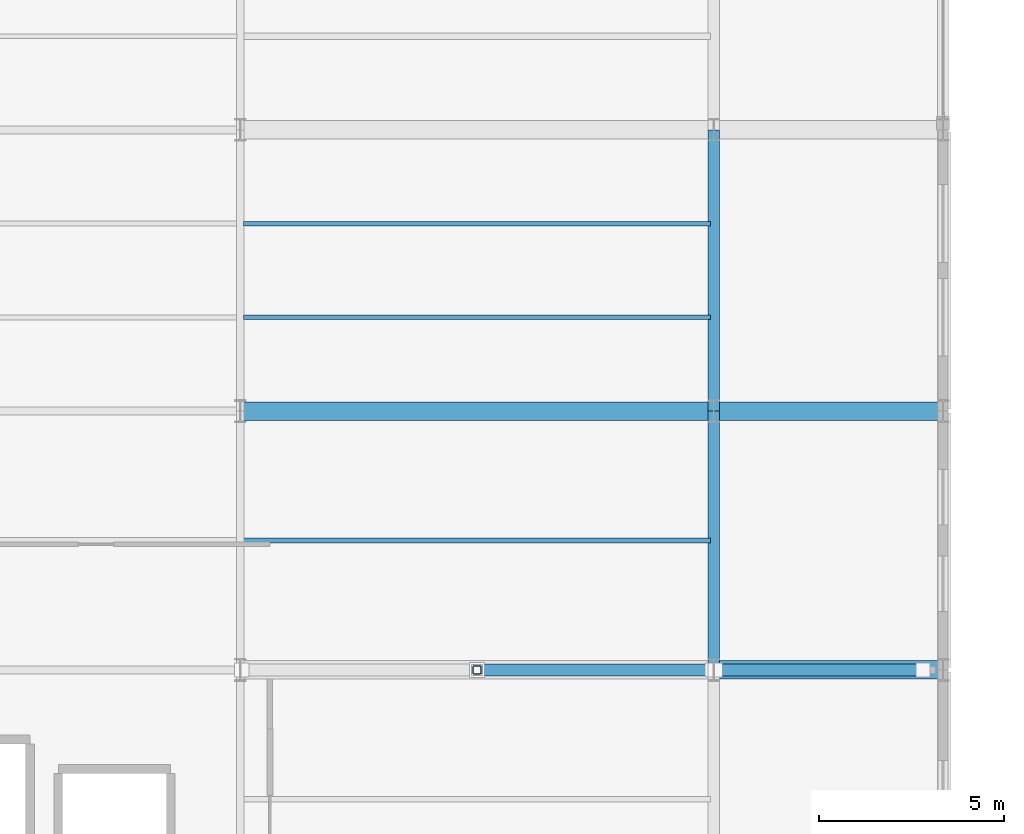
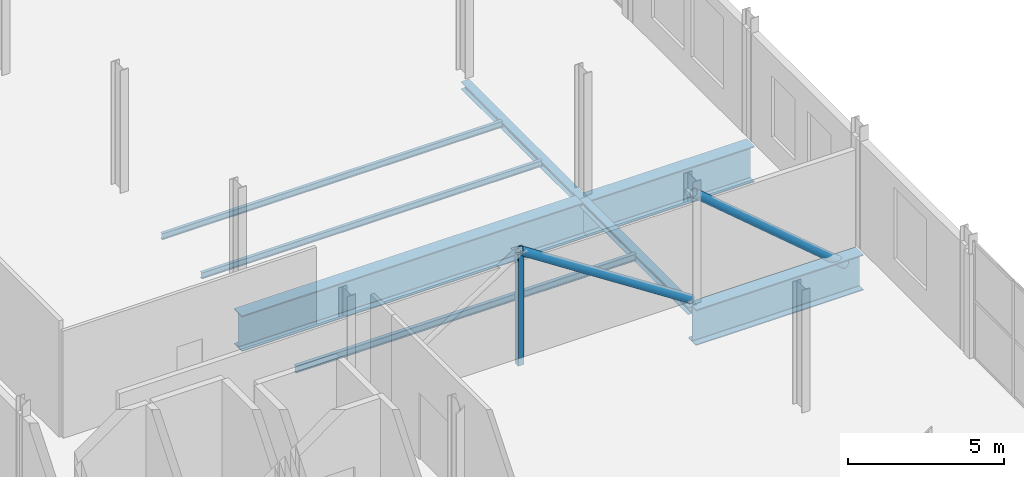
# One storey, part 71 of 120: 8 beams, 3 members.
"""IFC4 building model written with IfcOpenShell, lengths in metres."""

import ifcopenshell
import ifcopenshell.guid

model = None  # the IFC model being written
_history = None  # IfcOwnerHistory: only IFC2X3 demands one
_inside = {}  # id of a spatial element -> (the spatial element, [elements in it])
_under = {}  # id of a project, library or spatial element -> (it, [spatial elements below it])
_declared = {}  # id of a project -> (the project, [libraries it declares])
_typed = {}  # id of a type object -> (the type object, [elements of that type])
_made_of = {}  # id of a material, layer set ... -> (it, [elements and type objects made of it])


def new_model(schema):
    """Start an empty IFC model of exactly this schema.

    Asked for "IFC4X3", IfcOpenShell would pick the latest addendum, in which some entities
    have other attributes; the version numbers below select the first issue.
    IFC2X3 requires an IfcOwnerHistory on every rooted entity: one is made here for all.
    """
    global model, _history
    if schema == "IFC4X3":
        model = ifcopenshell.file(schema_version=(4, 3, 0, 0))
    else:
        model = ifcopenshell.file(schema=schema)
    _inside.clear()
    _under.clear()
    _declared.clear()
    _typed.clear()
    _made_of.clear()
    _history = None
    if model.schema == "IFC2X3":
        org = make("IfcOrganization", Name="unknown")
        user = make(
            "IfcPersonAndOrganization",
            ThePerson=make("IfcPerson", FamilyName="unknown"),
            TheOrganization=org,
        )
        app = make(
            "IfcApplication",
            ApplicationDeveloper=org,
            Version="unknown",
            ApplicationFullName="unknown",
            ApplicationIdentifier="unknown",
        )
        _history = make(
            "IfcOwnerHistory",
            OwningUser=user,
            OwningApplication=app,
            ChangeAction="ADDED",
            CreationDate=0,
        )
    return model


def make(cls, **values):
    """One entity of the class cls with the attributes given. An attribute that is None is left unset."""
    return model.create_entity(
        cls, **{name: value for name, value in values.items() if value is not None}
    )


def rooted(cls, **values):
    """An entity with a GlobalId (a new one), such as an element, a storey or a relation."""
    return make(cls, GlobalId=ifcopenshell.guid.new(), OwnerHistory=_history, **values)


def si_unit(unit_type, name, prefix=None):
    """IfcSIUnit, for example si_unit("LENGTHUNIT", "METRE", prefix="MILLI")."""
    return make("IfcSIUnit", UnitType=unit_type, Prefix=prefix, Name=name)


def assignment(units):
    """IfcUnitAssignment: the units of a project."""
    return None if units is None else make("IfcUnitAssignment", Units=units)


def point(xyz):
    """IfcCartesianPoint."""
    return None if xyz is None else make("IfcCartesianPoint", Coordinates=xyz)


def direction(xyz):
    """IfcDirection."""
    return None if xyz is None else make("IfcDirection", DirectionRatios=xyz)


def frame(location, z_axis=None, x_axis=None):
    """IfcAxis2Placement3D, a coordinate frame: its origin and axes. An axis left out is left unset."""
    return make(
        "IfcAxis2Placement3D",
        Location=point(location),
        Axis=direction(z_axis),
        RefDirection=direction(x_axis),
    )


def frame_2d(location, x_axis=None):
    """IfcAxis2Placement2D, a coordinate frame in the plane: its origin and x axis."""
    return make(
        "IfcAxis2Placement2D", Location=point(location), RefDirection=direction(x_axis)
    )


def origin():
    """The frame at (0, 0, 0) with its axes left unset."""
    return frame((0.0, 0.0, 0.0))


def origin_2d():
    """The frame at (0, 0) in the plane with its x axis left unset."""
    return frame_2d((0.0, 0.0))


def place(relative_to, where):
    """IfcLocalPlacement: puts the frame where relative to a parent placement (None: the world)."""
    return make(
        "IfcLocalPlacement", PlacementRelTo=relative_to, RelativePlacement=where
    )


def context(
    kind, dimensions, precision=None, world=None, true_north=None, identifier=None
):
    """IfcGeometricRepresentationContext, for example the 3D "Model" context."""
    return make(
        "IfcGeometricRepresentationContext",
        ContextIdentifier=identifier,
        ContextType=kind,
        CoordinateSpaceDimension=dimensions,
        Precision=precision,
        WorldCoordinateSystem=world,
        TrueNorth=true_north,
    )


def subcontext(parent, identifier, kind, view, scale=None):
    """IfcGeometricRepresentationSubContext, for example "Body" below "Model"."""
    return make(
        "IfcGeometricRepresentationSubContext",
        ContextIdentifier=identifier,
        ContextType=kind,
        ParentContext=parent,
        TargetScale=scale,
        TargetView=view,
    )


def project(units=None, contexts=None):
    """IfcProject with its units and contexts."""
    return rooted(
        "IfcProject",
        Name="project",
        RepresentationContexts=contexts,
        UnitsInContext=assignment(units),
    )


def spatial(cls, under=None, at=None, **own):
    """A site, building, storey or space (cls), placed at a placement, below another one or the project."""
    s = rooted(cls, ObjectPlacement=at, **own)
    if under is not None:
        _under.setdefault(under.id(), (under, []))[1].append(s)
    return s


def profile(cls, at=None, kind="AREA", **sizes):
    """A parametric profile (cls). Its sizes go by their IFC names, for example OverallWidth=200.0."""
    return make(cls, ProfileType=kind, Position=at, **sizes)


def hollow_rectangle(**sizes):
    """IfcRectangleHollowProfileDef."""
    return profile("IfcRectangleHollowProfileDef", **sizes)


def hollow_circle(**sizes):
    """IfcCircleHollowProfileDef."""
    return profile("IfcCircleHollowProfileDef", **sizes)


def i_section(**sizes):
    """IfcIShapeProfileDef."""
    return profile("IfcIShapeProfileDef", **sizes)


def extrude(swept, where, along, depth):
    """IfcExtrudedAreaSolid: the profile swept, set in the frame where, extruded along a direction by depth."""
    return make(
        "IfcExtrudedAreaSolid",
        SweptArea=swept,
        Position=where,
        ExtrudedDirection=direction(along),
        Depth=depth,
    )


def shape(context_of_items, identifier, shape_type, items):
    """IfcShapeRepresentation: the items that make up one representation, for example the "Body"."""
    return make(
        "IfcShapeRepresentation",
        ContextOfItems=context_of_items,
        RepresentationIdentifier=identifier,
        RepresentationType=shape_type,
        Items=items,
    )


def material(Name=None, Category=None):
    """IfcMaterial."""
    return make("IfcMaterial", Name=Name, Category=Category)


def material_profile(
    of_material, cross_section, Name=None, Category=None, Priority=None
):
    """IfcMaterialProfile: a cross section and its material."""
    return make(
        "IfcMaterialProfile",
        Name=Name,
        Material=of_material,
        Profile=cross_section,
        Priority=Priority,
        Category=Category,
    )


def profile_set(profiles, Name=None, composite=None):
    """IfcMaterialProfileSet."""
    return make(
        "IfcMaterialProfileSet",
        Name=Name,
        MaterialProfiles=profiles,
        CompositeProfile=composite,
    )


def made_of(thing, what):
    """Note that an element or type object is made of a material, layer set ...; save() writes the relation."""
    if what is not None:
        _made_of.setdefault(what.id(), (what, []))[1].append(thing)
    return thing


def type_object(cls, material=None, **own):
    """A type object (cls), such as IfcWallType, which elements share."""
    return made_of(rooted(cls, **own), material)


def element(
    cls,
    number,
    at=None,
    inside=None,
    cuts=None,
    type_object=None,
    material=None,
    context=None,
    identifier="Body",
    shape_type=None,
    held_by="IfcProductDefinitionShape",
    body=None,
    shapes=None,
    **own,
):
    """One element of the class cls, such as IfcWall. Its Tag is "e" and its number.

    at: its placement. inside: the storey or other place that contains it. cuts: it is an
    opening in that element (IfcRelVoidsElement). A single representation is given by context,
    identifier, shape_type and body (its items); several are given by shapes. held_by: the class
    of the entity that holds the representations. save() writes the other relations.
    """
    e = rooted(cls, Tag="e%d" % number, ObjectPlacement=at, **own)
    if body is not None:
        shapes = [shape(context, identifier, shape_type, body)]
    if shapes is not None:
        e.Representation = make(held_by, Representations=shapes)
    if inside is not None:
        _inside.setdefault(inside.id(), (inside, []))[1].append(e)
    if cuts is not None:
        rooted(
            "IfcRelVoidsElement", RelatingBuildingElement=cuts, RelatedOpeningElement=e
        )
    if type_object is not None:
        _typed.setdefault(type_object.id(), (type_object, []))[1].append(e)
    return made_of(e, material)


def aggregate(whole, parts):
    """IfcRelAggregates: a whole, such as a stair, and the parts it consists of."""
    return rooted("IfcRelAggregates", RelatingObject=whole, RelatedObjects=parts)


def save(model, path):
    """Write the relations noted so far, then the file.

    IfcRelAggregates (storeys below a building ...), IfcRelContainedInSpatialStructure (elements
    in a storey), IfcRelDefinesByType, IfcRelAssociatesMaterial and IfcRelDeclares: one each for
    every whole, place, type object, material and project.
    """
    for whole, parts in _under.values():
        aggregate(whole, parts)
    for where, things in _inside.values():
        rooted(
            "IfcRelContainedInSpatialStructure",
            RelatedElements=things,
            RelatingStructure=where,
        )
    for kind, things in _typed.values():
        rooted("IfcRelDefinesByType", RelatedObjects=things, RelatingType=kind)
    for what, things in _made_of.values():
        rooted("IfcRelAssociatesMaterial", RelatedObjects=things, RelatingMaterial=what)
    for by, libraries in _declared.values():
        rooted("IfcRelDeclares", RelatingContext=by, RelatedDefinitions=libraries)
    model.write(path)


model = new_model("IFC4")

# Units and contexts
model_context = context("Model", 3, precision=1e-05, world=origin(), true_north=direction((0.0, 1.0)))
body_context = subcontext(model_context, "Body", "Model", "MODEL_VIEW")
ifc_project = project(units=[si_unit("LENGTHUNIT", "METRE"), si_unit("AREAUNIT", "SQUARE_METRE"), si_unit("VOLUMEUNIT", "CUBIC_METRE"), si_unit("PLANEANGLEUNIT", "RADIAN"), si_unit("MASSUNIT", "GRAM", prefix="KILO")], contexts=[model_context])

# Site, building, storey
site_placement = place(None, origin())
site = spatial("IfcSite", under=ifc_project, at=site_placement, CompositionType="ELEMENT")
building_placement = place(site_placement, origin())
building = spatial("IfcBuilding", under=site, at=building_placement, Name="Vekula Escarpment Museum", CompositionType="ELEMENT")
storey_placement = place(building_placement, frame((0.0, 0.0, 13.199951171875)))
storey = spatial("IfcBuildingStorey", under=building, at=storey_placement, Name="L03", CompositionType="ELEMENT", Elevation=13.199951171875)

# Beams
ifc_material_1 = material(Name="Steel S355", Category="steel")
ifc_material_profile_1 = material_profile(ifc_material_1, i_section(OverallWidth=0.5, OverallDepth=1.39990234375, WebThickness=0.02392578125, FlangeThickness=0.0400390625, FilletRadius=0.02392578125, at=origin_2d()), Name="WPG 1400x500")
ifc_profile_set_1 = profile_set([ifc_material_profile_1], Name="Steel S355")
beam_type_1 = type_object("IfcBeamType", Name="BM-CUMBA-GIRD", PredefinedType="BEAM", material=ifc_profile_set_1)
beam_1_placement = place(storey_placement, frame((179.0, 90.39990234375, -0.97998046875), z_axis=(1.0, 0.0, 0.0), x_axis=(0.0, 1.0, 0.0)))
element("IfcBeam", 1, at=beam_1_placement, inside=storey, type_object=beam_type_1, Name="Beam X L03 1424", PredefinedType="BEAM", context=body_context, shape_type="SweptSolid", body=[
    extrude(i_section(OverallWidth=0.5, OverallDepth=1.39990234375, WebThickness=0.02392578125, FlangeThickness=0.0400390625, FilletRadius=0.02392578125, at=origin_2d()), origin(), (0.0, 0.0, 1.0), 12.800048828125),
])
for number, where, z_axis, x_axis, name in (
    (2, (191.800048828125, 83.39990234375, -0.97998046875), (1.0, 0.0, 0.0), (0.0, 1.0, 0.0), "Cumba Cantilever Transfer Girder L03 2367"),
    (3, (191.800048828125, 90.39990234375, -0.97998046875), (1.0, 0.0, 0.0), (0.0, 1.0, 0.0), "Cumba Cantilever Transfer Girder L03 2368"),
):
    element("IfcBeam", number, at=place(storey_placement, frame(where, z_axis=z_axis, x_axis=x_axis)), inside=storey, type_object=beam_type_1, Name=name, PredefinedType="BEAM", context=body_context, shape_type="SweptSolid", body=[
        extrude(i_section(OverallWidth=0.5, OverallDepth=1.39990234375, WebThickness=0.02392578125, FlangeThickness=0.0400390625, FilletRadius=0.02392578125, at=origin_2d()), origin(), (0.0, 0.0, 1.0), 6.199951171875),
    ])
ifc_material_2 = material(Name="Steel S355", Category="steel")
ifc_material_profile_2 = material_profile(ifc_material_2, i_section(OverallWidth=0.1201171875, OverallDepth=0.239990234375, WebThickness=0.006103515625, FlangeThickness=0.009765625, FilletRadius=0.014892578125, at=origin_2d()), Name="IPE 240")
ifc_profile_set_2 = profile_set([ifc_material_profile_2], Name="Steel S355")
beam_type_2 = type_object("IfcBeamType", Name="BM-JST-IPE240", PredefinedType="JOIST", material=ifc_profile_set_2)
for number, where, z_axis, x_axis, name in (
    (4, (179.090087890625, 92.933349609375, -0.39990234375), (1.0, 0.0, 0.0), (0.0, 1.0, 0.0), "Secondary Joist L03 1123"),
    (5, (179.090087890625, 95.466796875, -0.39990234375), (1.0, 0.0, 0.0), (0.0, 1.0, 0.0), "Secondary Joist L03 1124"),
):
    element("IfcBeam", number, at=place(storey_placement, frame(where, z_axis=z_axis, x_axis=x_axis)), inside=storey, type_object=beam_type_2, Name=name, PredefinedType="JOIST", context=body_context, shape_type="SweptSolid", body=[
        extrude(i_section(OverallWidth=0.1201171875, OverallDepth=0.239990234375, WebThickness=0.006103515625, FlangeThickness=0.009765625, FilletRadius=0.014892578125, at=origin_2d()), origin(), (0.0, 0.0, 1.0), 12.619873046875),
    ])
ifc_material_3 = material(Name="Steel S355", Category="steel")
ifc_material_profile_3 = material_profile(ifc_material_3, i_section(OverallWidth=0.135009765625, OverallDepth=0.27001953125, WebThickness=0.006591796875, FlangeThickness=0.01025390625, FilletRadius=0.014892578125, at=origin_2d()), Name="IPE 270")
ifc_profile_set_3 = profile_set([ifc_material_profile_3], Name="Steel S355")
beam_type_3 = type_object("IfcBeamType", Name="BM-JST-IPE270", PredefinedType="JOIST", material=ifc_profile_set_3)
beam_2_placement = place(storey_placement, frame((179.090087890625, 86.89990234375, -0.4150390625), z_axis=(1.0, 0.0, 0.0), x_axis=(0.0, 1.0, 0.0)))
element("IfcBeam", 6, at=beam_2_placement, inside=storey, type_object=beam_type_3, Name="Secondary Joist L03 1122", PredefinedType="JOIST", context=body_context, shape_type="SweptSolid", body=[
    extrude(i_section(OverallWidth=0.135009765625, OverallDepth=0.27001953125, WebThickness=0.006591796875, FlangeThickness=0.01025390625, FilletRadius=0.014892578125, at=origin_2d()), origin(), (0.0, 0.0, 1.0), 12.619873046875),
])
ifc_material_4 = material(Name="Steel S355", Category="steel")
ifc_material_profile_4 = material_profile(ifc_material_4, i_section(OverallWidth=0.300048828125, OverallDepth=0.2900390625, WebThickness=0.008544921875, FlangeThickness=0.013916015625, FilletRadius=0.027099609375, at=origin_2d()), Name="HEA 300")
ifc_profile_set_4 = profile_set([ifc_material_profile_4], Name="Steel S355")
beam_type_4 = type_object("IfcBeamType", Name="BM-SPAN-HEA300", PredefinedType="SPANDREL", material=ifc_profile_set_4)
beam_3_placement = place(storey_placement, frame((191.800048828125, 83.39990234375, -0.425048828125), z_axis=(0.0, 1.0, 0.0), x_axis=(-1.0, 0.0, 0.0)))
element("IfcBeam", 7, at=beam_3_placement, inside=storey, type_object=beam_type_4, Name="Beam Y L03 1677", PredefinedType="SPANDREL", context=body_context, shape_type="SweptSolid", body=[
    extrude(i_section(OverallWidth=0.300048828125, OverallDepth=0.2900390625, WebThickness=0.008544921875, FlangeThickness=0.013916015625, FilletRadius=0.027099609375, at=origin_2d()), origin(), (0.0, 0.0, 1.0), 7.0),
])
beam_4_placement = place(storey_placement, frame((191.800048828125, 90.39990234375, -0.425048828125), z_axis=(0.0, 1.0, 0.0), x_axis=(-1.0, 0.0, 0.0)))
element("IfcBeam", 8, at=beam_4_placement, inside=storey, type_object=beam_type_4, Name="Beam Y L03 1678", PredefinedType="SPANDREL", context=body_context, shape_type="SweptSolid", body=[
    extrude(i_section(OverallWidth=0.300048828125, OverallDepth=0.2900390625, WebThickness=0.008544921875, FlangeThickness=0.013916015625, FilletRadius=0.027099609375, at=origin_2d()), origin(), (0.0, 0.0, 1.0), 7.60009765625),
])

# Members
ifc_material_5 = material(Name="Steel S355", Category="steel")
ifc_material_profile_5 = material_profile(ifc_material_5, hollow_rectangle(XDim=0.219970703125, YDim=0.219970703125, WallThickness=0.011962890625, InnerFilletRadius=0.011962890625, OuterFilletRadius=0.02392578125, at=origin_2d()), Name="SHS 220x220x12")
ifc_profile_set_5 = profile_set([ifc_material_profile_5], Name="Steel S355")
member_type_1 = type_object("IfcMemberType", Name="MB-POST-SHS220", PredefinedType="STRUT", material=ifc_profile_set_5)
member_1_placement = place(storey_placement, frame((185.39990234375, 83.39990234375, -0.300048828125), z_axis=(0.0, 0.0, 1.0), x_axis=(1.0, 0.0, 0.0)))
element("IfcMember", 9, at=member_1_placement, inside=storey, type_object=member_type_1, Name="Transfer Truss Post 02", PredefinedType="STRUT", context=body_context, shape_type="SweptSolid", body=[
    extrude(hollow_rectangle(XDim=0.219970703125, YDim=0.219970703125, WallThickness=0.011962890625, InnerFilletRadius=0.011962890625, OuterFilletRadius=0.02392578125, at=origin_2d()), origin(), (0.0, 0.0, 1.0), 4.4501953125),
])
ifc_material_6 = material(Name="Steel S355", Category="steel")
ifc_material_profile_6 = material_profile(ifc_material_6, hollow_circle(Radius=0.161865234375, WallThickness=0.01611328125, at=origin_2d()), Name="CHS 323.9x16")
ifc_profile_set_6 = profile_set([ifc_material_profile_6], Name="Steel S355")
member_type_2 = type_object("IfcMemberType", Name="MB-PRATT-DIAG", PredefinedType="BRACE", material=ifc_profile_set_6)
member_2_placement = place(storey_placement, frame((191.85009765625, 83.39990234375, 4.150146484375), z_axis=(0.76260256891, 0.0, -0.646867313978), x_axis=(0.0, 1.0, 0.0)))
element("IfcMember", 10, at=member_2_placement, inside=storey, type_object=member_type_2, Name="Transfer Truss Diagonal 02A", PredefinedType="BRACE", context=body_context, shape_type="SweptSolid", body=[
    extrude(hollow_circle(Radius=0.161865234375, WallThickness=0.01611328125, at=origin_2d()), origin(), (0.0, 0.0, 1.0), 7.343017578125),
])
member_3_placement = place(storey_placement, frame((185.39990234375, 83.39990234375, 4.150146484375), z_axis=(0.838288948985, 0.0, -0.545226226451), x_axis=(0.0, 1.0, 0.0)))
element("IfcMember", 11, at=member_3_placement, inside=storey, type_object=member_type_2, Name="Transfer Truss Back-Span Diagonal 02B2", PredefinedType="BRACE", context=body_context, shape_type="SweptSolid", body=[
    extrude(hollow_circle(Radius=0.161865234375, WallThickness=0.01611328125, at=origin_2d()), origin(), (0.0, 0.0, 1.0), 7.574951171875),
])

save(model, "model.ifc")
